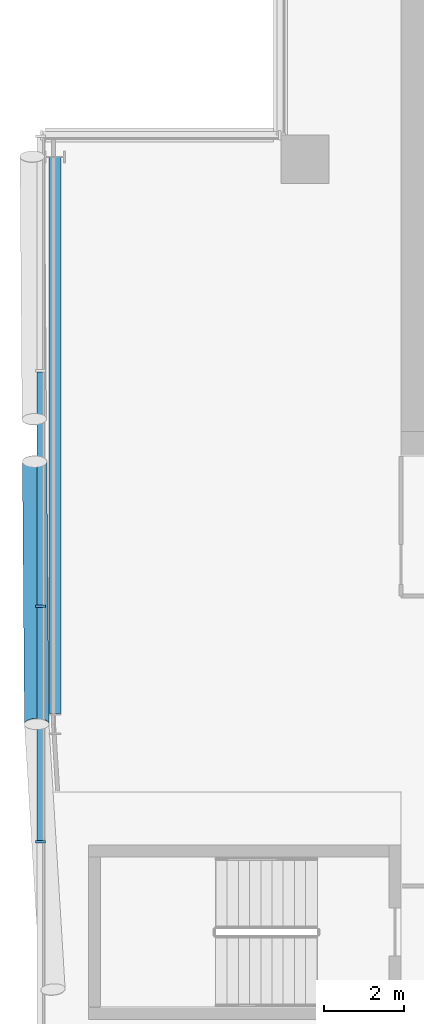
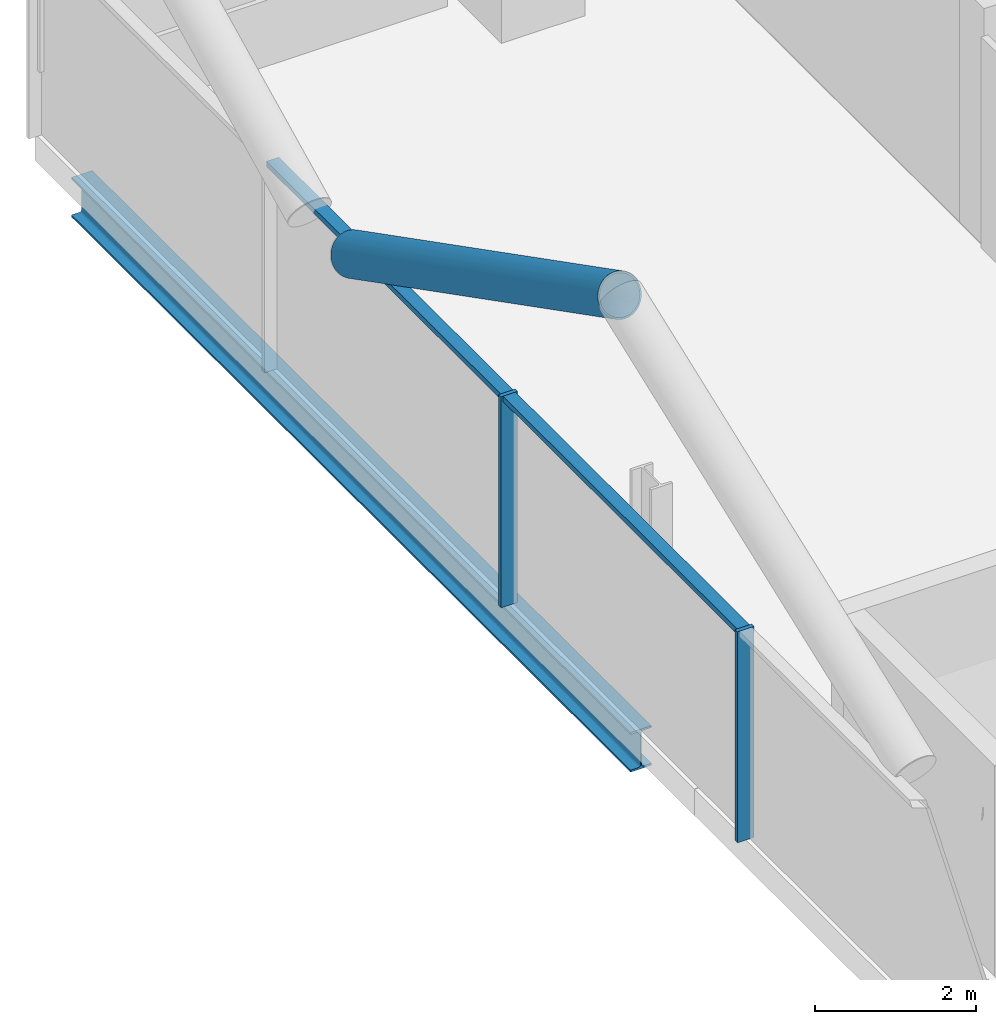
# One storey, part 7 of 26: 5 members, 1 beam, 1 element without a shape of its own.
"""IFC4 building model written with IfcOpenShell, lengths in metres."""

import ifcopenshell
import ifcopenshell.guid

model = None  # the IFC model being written
_history = None  # IfcOwnerHistory: only IFC2X3 demands one
_inside = {}  # id of a spatial element -> (the spatial element, [elements in it])
_under = {}  # id of a project, library or spatial element -> (it, [spatial elements below it])
_declared = {}  # id of a project -> (the project, [libraries it declares])
_typed = {}  # id of a type object -> (the type object, [elements of that type])
_made_of = {}  # id of a material, layer set ... -> (it, [elements and type objects made of it])


def new_model(schema):
    """Start an empty IFC model of exactly this schema.

    Asked for "IFC4X3", IfcOpenShell would pick the latest addendum, in which some entities
    have other attributes; the version numbers below select the first issue.
    IFC2X3 requires an IfcOwnerHistory on every rooted entity: one is made here for all.
    """
    global model, _history
    if schema == "IFC4X3":
        model = ifcopenshell.file(schema_version=(4, 3, 0, 0))
    else:
        model = ifcopenshell.file(schema=schema)
    _inside.clear()
    _under.clear()
    _declared.clear()
    _typed.clear()
    _made_of.clear()
    _history = None
    if model.schema == "IFC2X3":
        org = make("IfcOrganization", Name="unknown")
        user = make(
            "IfcPersonAndOrganization",
            ThePerson=make("IfcPerson", FamilyName="unknown"),
            TheOrganization=org,
        )
        app = make(
            "IfcApplication",
            ApplicationDeveloper=org,
            Version="unknown",
            ApplicationFullName="unknown",
            ApplicationIdentifier="unknown",
        )
        _history = make(
            "IfcOwnerHistory",
            OwningUser=user,
            OwningApplication=app,
            ChangeAction="ADDED",
            CreationDate=0,
        )
    return model


def make(cls, **values):
    """One entity of the class cls with the attributes given. An attribute that is None is left unset."""
    return model.create_entity(
        cls, **{name: value for name, value in values.items() if value is not None}
    )


def rooted(cls, **values):
    """An entity with a GlobalId (a new one), such as an element, a storey or a relation."""
    return make(cls, GlobalId=ifcopenshell.guid.new(), OwnerHistory=_history, **values)


def si_unit(unit_type, name, prefix=None):
    """IfcSIUnit, for example si_unit("LENGTHUNIT", "METRE", prefix="MILLI")."""
    return make("IfcSIUnit", UnitType=unit_type, Prefix=prefix, Name=name)


def assignment(units):
    """IfcUnitAssignment: the units of a project."""
    return None if units is None else make("IfcUnitAssignment", Units=units)


def point(xyz):
    """IfcCartesianPoint."""
    return None if xyz is None else make("IfcCartesianPoint", Coordinates=xyz)


def direction(xyz):
    """IfcDirection."""
    return None if xyz is None else make("IfcDirection", DirectionRatios=xyz)


def frame(location, z_axis=None, x_axis=None):
    """IfcAxis2Placement3D, a coordinate frame: its origin and axes. An axis left out is left unset."""
    return make(
        "IfcAxis2Placement3D",
        Location=point(location),
        Axis=direction(z_axis),
        RefDirection=direction(x_axis),
    )


def frame_2d(location, x_axis=None):
    """IfcAxis2Placement2D, a coordinate frame in the plane: its origin and x axis."""
    return make(
        "IfcAxis2Placement2D", Location=point(location), RefDirection=direction(x_axis)
    )


def origin():
    """The frame at (0, 0, 0) with its axes left unset."""
    return frame((0.0, 0.0, 0.0))


def origin_2d():
    """The frame at (0, 0) in the plane with its x axis left unset."""
    return frame_2d((0.0, 0.0))


def place(relative_to, where):
    """IfcLocalPlacement: puts the frame where relative to a parent placement (None: the world)."""
    return make(
        "IfcLocalPlacement", PlacementRelTo=relative_to, RelativePlacement=where
    )


def context(
    kind, dimensions, precision=None, world=None, true_north=None, identifier=None
):
    """IfcGeometricRepresentationContext, for example the 3D "Model" context."""
    return make(
        "IfcGeometricRepresentationContext",
        ContextIdentifier=identifier,
        ContextType=kind,
        CoordinateSpaceDimension=dimensions,
        Precision=precision,
        WorldCoordinateSystem=world,
        TrueNorth=true_north,
    )


def subcontext(parent, identifier, kind, view, scale=None):
    """IfcGeometricRepresentationSubContext, for example "Body" below "Model"."""
    return make(
        "IfcGeometricRepresentationSubContext",
        ContextIdentifier=identifier,
        ContextType=kind,
        ParentContext=parent,
        TargetScale=scale,
        TargetView=view,
    )


def project(units=None, contexts=None):
    """IfcProject with its units and contexts."""
    return rooted(
        "IfcProject",
        Name="project",
        RepresentationContexts=contexts,
        UnitsInContext=assignment(units),
    )


def spatial(cls, under=None, at=None, **own):
    """A site, building, storey or space (cls), placed at a placement, below another one or the project."""
    s = rooted(cls, ObjectPlacement=at, **own)
    if under is not None:
        _under.setdefault(under.id(), (under, []))[1].append(s)
    return s


def profile(cls, at=None, kind="AREA", **sizes):
    """A parametric profile (cls). Its sizes go by their IFC names, for example OverallWidth=200.0."""
    return make(cls, ProfileType=kind, Position=at, **sizes)


def rectangle(**sizes):
    """IfcRectangleProfileDef."""
    return profile("IfcRectangleProfileDef", **sizes)


def hollow_circle(**sizes):
    """IfcCircleHollowProfileDef."""
    return profile("IfcCircleHollowProfileDef", **sizes)


def i_section(**sizes):
    """IfcIShapeProfileDef."""
    return profile("IfcIShapeProfileDef", **sizes)


def extrude(swept, where, along, depth):
    """IfcExtrudedAreaSolid: the profile swept, set in the frame where, extruded along a direction by depth."""
    return make(
        "IfcExtrudedAreaSolid",
        SweptArea=swept,
        Position=where,
        ExtrudedDirection=direction(along),
        Depth=depth,
    )


def shape(context_of_items, identifier, shape_type, items):
    """IfcShapeRepresentation: the items that make up one representation, for example the "Body"."""
    return make(
        "IfcShapeRepresentation",
        ContextOfItems=context_of_items,
        RepresentationIdentifier=identifier,
        RepresentationType=shape_type,
        Items=items,
    )


def material(Name=None, Category=None):
    """IfcMaterial."""
    return make("IfcMaterial", Name=Name, Category=Category)


def material_profile(
    of_material, cross_section, Name=None, Category=None, Priority=None
):
    """IfcMaterialProfile: a cross section and its material."""
    return make(
        "IfcMaterialProfile",
        Name=Name,
        Material=of_material,
        Profile=cross_section,
        Priority=Priority,
        Category=Category,
    )


def profile_set(profiles, Name=None, composite=None):
    """IfcMaterialProfileSet."""
    return make(
        "IfcMaterialProfileSet",
        Name=Name,
        MaterialProfiles=profiles,
        CompositeProfile=composite,
    )


def made_of(thing, what):
    """Note that an element or type object is made of a material, layer set ...; save() writes the relation."""
    if what is not None:
        _made_of.setdefault(what.id(), (what, []))[1].append(thing)
    return thing


def type_object(cls, material=None, **own):
    """A type object (cls), such as IfcWallType, which elements share."""
    return made_of(rooted(cls, **own), material)


def element(
    cls,
    number,
    at=None,
    inside=None,
    cuts=None,
    type_object=None,
    material=None,
    context=None,
    identifier="Body",
    shape_type=None,
    held_by="IfcProductDefinitionShape",
    body=None,
    shapes=None,
    **own,
):
    """One element of the class cls, such as IfcWall. Its Tag is "e" and its number.

    at: its placement. inside: the storey or other place that contains it. cuts: it is an
    opening in that element (IfcRelVoidsElement). A single representation is given by context,
    identifier, shape_type and body (its items); several are given by shapes. held_by: the class
    of the entity that holds the representations. save() writes the other relations.
    """
    e = rooted(cls, Tag="e%d" % number, ObjectPlacement=at, **own)
    if body is not None:
        shapes = [shape(context, identifier, shape_type, body)]
    if shapes is not None:
        e.Representation = make(held_by, Representations=shapes)
    if inside is not None:
        _inside.setdefault(inside.id(), (inside, []))[1].append(e)
    if cuts is not None:
        rooted(
            "IfcRelVoidsElement", RelatingBuildingElement=cuts, RelatedOpeningElement=e
        )
    if type_object is not None:
        _typed.setdefault(type_object.id(), (type_object, []))[1].append(e)
    return made_of(e, material)


def aggregate(whole, parts):
    """IfcRelAggregates: a whole, such as a stair, and the parts it consists of."""
    return rooted("IfcRelAggregates", RelatingObject=whole, RelatedObjects=parts)


def save(model, path):
    """Write the relations noted so far, then the file.

    IfcRelAggregates (storeys below a building ...), IfcRelContainedInSpatialStructure (elements
    in a storey), IfcRelDefinesByType, IfcRelAssociatesMaterial and IfcRelDeclares: one each for
    every whole, place, type object, material and project.
    """
    for whole, parts in _under.values():
        aggregate(whole, parts)
    for where, things in _inside.values():
        rooted(
            "IfcRelContainedInSpatialStructure",
            RelatedElements=things,
            RelatingStructure=where,
        )
    for kind, things in _typed.values():
        rooted("IfcRelDefinesByType", RelatedObjects=things, RelatingType=kind)
    for what, things in _made_of.values():
        rooted("IfcRelAssociatesMaterial", RelatedObjects=things, RelatingMaterial=what)
    for by, libraries in _declared.values():
        rooted("IfcRelDeclares", RelatingContext=by, RelatedDefinitions=libraries)
    model.write(path)


model = new_model("IFC4")

# Units and contexts
model_context = context("Model", 3, precision=1e-05, world=origin(), true_north=direction((0.0, 1.0)))
body_context = subcontext(model_context, "Body", "Model", "MODEL_VIEW")
ifc_project = project(units=[si_unit("LENGTHUNIT", "METRE"), si_unit("AREAUNIT", "SQUARE_METRE"), si_unit("VOLUMEUNIT", "CUBIC_METRE"), si_unit("PLANEANGLEUNIT", "RADIAN"), si_unit("MASSUNIT", "GRAM", prefix="KILO")], contexts=[model_context])

# Site, building, storey
site_placement = place(None, origin())
site = spatial("IfcSite", under=ifc_project, at=site_placement, CompositionType="ELEMENT")
building_placement = place(site_placement, origin())
building = spatial("IfcBuilding", under=site, at=building_placement, Name="Wharfspan Tower", CompositionType="ELEMENT")
storey_placement = place(building_placement, frame((0.0, 0.0, 214.300049)))
storey = spatial("IfcBuildingStorey", under=building, at=storey_placement, Name="L53", CompositionType="ELEMENT", Elevation=214.300049)

# Beam
ifc_material_1 = material(Name="Steel S355J2", Category="steel")
ifc_material_profile_1 = material_profile(ifc_material_1, i_section(OverallWidth=0.300049, OverallDepth=0.600098, WebThickness=0.015381, FlangeThickness=0.030029, FilletRadius=0.0271, at=origin_2d()))
ifc_profile_set_1 = profile_set([ifc_material_profile_1], Name="Steel S355J2")
beam_type = type_object("IfcBeamType", Name="Edge beam HEB 600", PredefinedType="SPANDREL", material=ifc_profile_set_1)
beam_placement = place(storey_placement, frame((14.356934, 41.453125, -0.699951), z_axis=(0.000211, -1.0, 0.0), x_axis=(1.0, 0.000211, 0.0)))
element("IfcBeam", 1, at=beam_placement, inside=storey, type_object=beam_type, Name="Edge beam W L53 PNRW-H.1 to PW.1", PredefinedType="SPANDREL", context=body_context, shape_type="SweptSolid", body=[
    extrude(i_section(OverallWidth=0.300049, OverallDepth=0.600098, WebThickness=0.015381, FlangeThickness=0.030029, FilletRadius=0.0271, at=origin_2d()), origin(), (0.0, 0.0, 1.0), 13.89502),
])

# Curtain wall, members
ifc_material_2 = material(Name="Aluminium 6063-T6", Category="aluminium")
curtain_wall_type = type_object("IfcCurtainWallType", Name="CURTAIN WALL PROW AND END", PredefinedType="NOTDEFINED", material=ifc_material_2)
curtain_wall_placement = place(storey_placement, origin())
curtain_wall = element("IfcCurtainWall", 2, at=curtain_wall_placement, inside=storey, type_object=curtain_wall_type, Name="Curtain wall W", PredefinedType="NOTDEFINED")
ifc_material_profile_2 = material_profile(ifc_material_2, rectangle(XDim=0.23999, YDim=0.060059, at=origin_2d()))
ifc_profile_set_2 = profile_set([ifc_material_profile_2], Name="Aluminium 6063-T6")
member_type_1 = type_object("IfcMemberType", Name="MULLION PROW AND END 60x240", PredefinedType="MULLION", material=ifc_profile_set_2)
member_1_placement = place(storey_placement, frame((14.0, 30.23999, 0.0), z_axis=(0.0, 0.0, 1.0), x_axis=(1.0, 0.0, 0.0)))
member_1 = element("IfcMember", 3, at=member_1_placement, type_object=member_type_1, Name="Curtain wall W mullion 3", PredefinedType="MULLION", context=body_context, shape_type="SweptSolid", body=[
    extrude(rectangle(XDim=0.23999, YDim=0.060059, at=origin_2d()), origin(), (0.0, 0.0, 1.0), 3.199951),
])
member_2_placement = place(storey_placement, frame((14.0, 24.360107, 0.0), z_axis=(0.0, 0.0, 1.0), x_axis=(1.0, 0.0, 0.0)))
member_2 = element("IfcMember", 4, at=member_2_placement, type_object=member_type_1, Name="Curtain wall W mullion 4", PredefinedType="MULLION", context=body_context, shape_type="SweptSolid", body=[
    extrude(rectangle(XDim=0.23999, YDim=0.060059, at=origin_2d()), origin(), (0.0, 0.0, 1.0), 3.199951),
])

# Member
ifc_material_3 = material(Name="Steel S460NH", Category="steel")
ifc_material_profile_3 = material_profile(ifc_material_3, hollow_circle(Radius=0.304932, WallThickness=0.024902, at=origin_2d()))
ifc_profile_set_3 = profile_set([ifc_material_profile_3], Name="Steel S460NH")
member_type_2 = type_object("IfcMemberType", Name="Mega brace CHS 610x25", PredefinedType="BRACE", material=ifc_profile_set_3)
member_3_placement = place(storey_placement, frame((13.853271, 33.849121, 3.169922), z_axis=(0.007044, -0.891361, 0.45324), x_axis=(0.999973, 0.007904, 3e-06)))
element("IfcMember", 5, at=member_3_placement, inside=storey, type_object=member_type_2, Name="Mega brace W3 L53 part 2", PredefinedType="BRACE", context=body_context, shape_type="SweptSolid", body=[
    extrude(hollow_circle(Radius=0.304932, WallThickness=0.024902, at=origin_2d()), origin(), (0.0, 0.0, 1.0), 7.347168),
])

ifc_material_profile_4 = material_profile(ifc_material_2, rectangle(XDim=0.179932, YDim=0.080078, at=origin_2d()))
ifc_profile_set_4 = profile_set([ifc_material_profile_4], Name="Aluminium 6063-T6")
member_type_3 = type_object("IfcMemberType", Name="TRANSOM PROW AND END 80x180", PredefinedType="USERDEFINED", material=ifc_profile_set_4)
member_4_placement = place(storey_placement, frame((14.0, 36.090088, 3.159912), z_axis=(0.0, -1.0, 0.0), x_axis=(1.0, 0.0, 0.0)))
member_4 = element("IfcMember", 6, at=member_4_placement, type_object=member_type_3, Name="Curtain wall W transom 2", ObjectType="TRANSOM", PredefinedType="USERDEFINED", context=body_context, shape_type="SweptSolid", body=[
    extrude(rectangle(XDim=0.179932, YDim=0.080078, at=origin_2d()), origin(), (0.0, 0.0, 1.0), 5.820068),
])

member_5_placement = place(storey_placement, frame((14.0, 30.209961, 3.159912), z_axis=(0.0, -1.0, 0.0), x_axis=(1.0, 0.0, 0.0)))
member_5 = element("IfcMember", 7, at=member_5_placement, type_object=member_type_3, Name="Curtain wall W transom 3", ObjectType="TRANSOM", PredefinedType="USERDEFINED", context=body_context, shape_type="SweptSolid", body=[
    extrude(rectangle(XDim=0.179932, YDim=0.080078, at=origin_2d()), origin(), (0.0, 0.0, 1.0), 5.820068),
])

aggregate(curtain_wall, [member_1, member_2, member_4, member_5])

save(model, "model.ifc")
